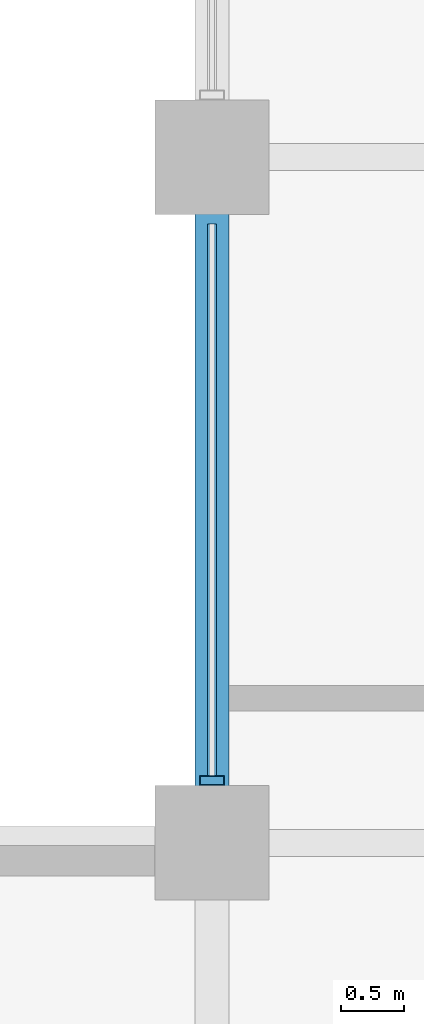
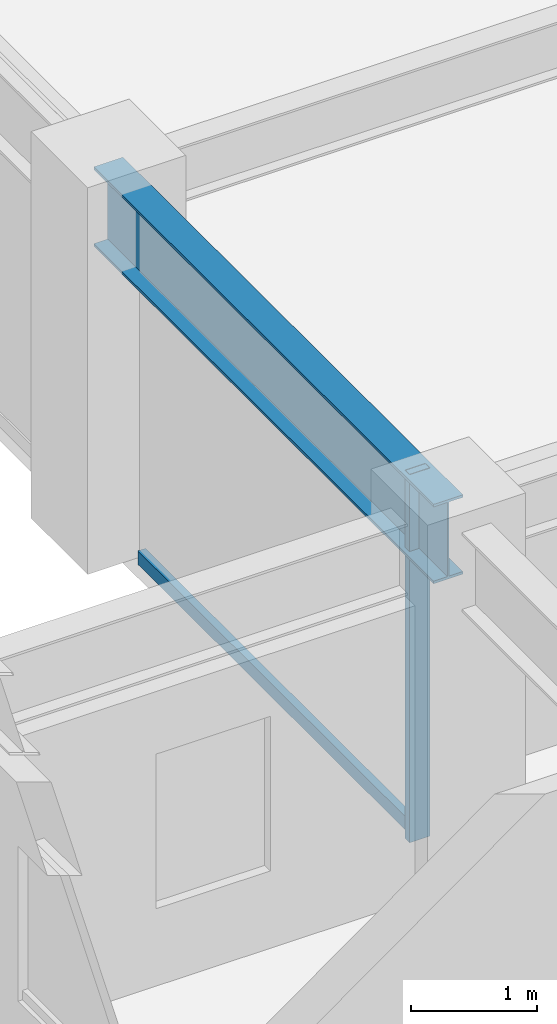
# One storey, part 7 of 28: 2 members, 1 beam, 1 element without a shape of its own.
"""IFC4 building model written with IfcOpenShell, lengths in metres."""

from ifc_helpers import new_model, si_unit, direction, frame, origin, origin_2d, place, context, subcontext, project, spatial, hollow_rectangle, i_section, extrude, material, layer, layer_set, material_profile, profile_set, type_object, element, aggregate, save


model = new_model("IFC4")

# Units and contexts
model_context = context("Model", 3, precision=1e-05, world=origin(), true_north=direction((0.0, 1.0)))
body_context = subcontext(model_context, "Body", "Model", "MODEL_VIEW")
ifc_project = project(units=[si_unit("LENGTHUNIT", "METRE"), si_unit("AREAUNIT", "SQUARE_METRE"), si_unit("VOLUMEUNIT", "CUBIC_METRE"), si_unit("PLANEANGLEUNIT", "RADIAN"), si_unit("MASSUNIT", "GRAM", prefix="KILO")], contexts=[model_context])

# Site, building, storey
site_placement = place(None, origin())
site = spatial("IfcSite", under=ifc_project, at=site_placement, CompositionType="ELEMENT")
building_placement = place(site_placement, origin())
building = spatial("IfcBuilding", under=site, at=building_placement, Name="Surkhivell Harbour Commons", CompositionType="ELEMENT")
storey_placement = place(building_placement, frame((0.0, 0.0, 178.5)))
storey = spatial("IfcBuildingStorey", under=building, at=storey_placement, Name="L46", CompositionType="ELEMENT", Elevation=178.5)

# Beam
ifc_material_1 = material(Name="Steel S355", Category="steel")
ifc_material_profile_1 = material_profile(ifc_material_1, i_section(OverallWidth=0.26806640625, OverallDepth=0.77001953125, WebThickness=0.015625, FlangeThickness=0.025390625, at=origin_2d()), Name="UB762x267x197")
ifc_profile_set_1 = profile_set([ifc_material_profile_1], Name="Steel S355")
beam_type = type_object("IfcBeamType", Name="BM-SPN-762", PredefinedType="SPANDREL", material=ifc_profile_set_1)
beam_placement = place(storey_placement, frame((-27.0, 5.39990234375, 3.18505859375), z_axis=(0.0, 1.0, 0.0), x_axis=(-1.0, 0.0, 0.0)))
element("IfcBeam", 1, at=beam_placement, inside=storey, type_object=beam_type, Name="L46 Tube Spandrel (-27.0,5.4)", PredefinedType="SPANDREL", context=body_context, shape_type="SweptSolid", body=[
    extrude(i_section(OverallWidth=0.26806640625, OverallDepth=0.77001953125, WebThickness=0.015625, FlangeThickness=0.025390625, at=origin_2d()), origin(), (0.0, 0.0, 1.0), 5.400146484375),
])

# Curtain wall, members
ifc_material_2 = material(Name="Anodised pale-metal aluminium and insulated glazing", Category="aluminium")
ifc_layer = layer(ifc_material_2, 0.18994140625)
ifc_layer_set = layer_set([ifc_layer], Name="Anodised pale-metal aluminium and insulated glazing")
curtain_wall_type = type_object("IfcCurtainWallType", Name="CW-SYS-Z3", PredefinedType="NOTDEFINED", material=ifc_layer_set)
curtain_wall_placement = place(storey_placement, origin())
curtain_wall = element("IfcCurtainWall", 2, at=curtain_wall_placement, inside=storey, type_object=curtain_wall_type, Name="L46 Curtain Wall CW-L46-E12R2", PredefinedType="NOTDEFINED")
ifc_material_3 = material(Name="Anodised pale-metal aluminium alloy 6063-T6", Category="aluminium")
ifc_material_profile_2 = material_profile(ifc_material_3, hollow_rectangle(XDim=0.074951171875, YDim=0.18994140625, WallThickness=0.00390625, at=origin_2d()), Name="ALU-MULL-75x190")
ifc_profile_set_2 = profile_set([ifc_material_profile_2], Name="Anodised pale-metal aluminium alloy 6063-T6")
member_type_1 = type_object("IfcMemberType", Name="CWM-190", PredefinedType="MULLION", material=ifc_profile_set_2)
member_1_placement = place(storey_placement, frame((-27.0, 5.889404296875, 0.0), z_axis=(0.0, 0.0, 1.0), x_axis=(0.0, 1.0, 0.0)))
member_1 = element("IfcMember", 3, at=member_1_placement, type_object=member_type_1, Name="CW-Z3 mullion 1", PredefinedType="MULLION", context=body_context, shape_type="SweptSolid", body=[
    extrude(hollow_rectangle(XDim=0.074951171875, YDim=0.18994140625, WallThickness=0.00390625, at=origin_2d()), origin(), (0.0, 0.0, 1.0), 3.570068359375),
])
ifc_material_4 = material(Name="Champagne anodised aluminium alloy 6063-T6", Category="aluminium")
ifc_material_profile_3 = material_profile(ifc_material_4, hollow_rectangle(XDim=0.070068359375, YDim=0.1298828125, WallThickness=0.00341796875, at=origin_2d()), Name="ALU-TRAN-70x130")
ifc_profile_set_3 = profile_set([ifc_material_profile_3], Name="Champagne anodised aluminium alloy 6063-T6")
member_type_2 = type_object("IfcMemberType", Name="CWT-130", PredefinedType="USERDEFINED", material=ifc_profile_set_3)
member_2_placement = place(storey_placement, frame((-27.0, 5.927001953125, 0.06494140625), z_axis=(0.0, 1.0, 0.0), x_axis=(-1.0, 0.0, 0.0)))
member_2 = element("IfcMember", 4, at=member_2_placement, type_object=member_type_2, Name="CW-Z3 transom 1.1", ObjectType="TRANSOM", PredefinedType="USERDEFINED", context=body_context, shape_type="SweptSolid", body=[
    extrude(hollow_rectangle(XDim=0.070068359375, YDim=0.1298828125, WallThickness=0.00341796875, at=origin_2d()), origin(), (0.0, 0.0, 1.0), 4.345947265625),
])
aggregate(curtain_wall, [member_1, member_2])

save(model, "model.ifc")
